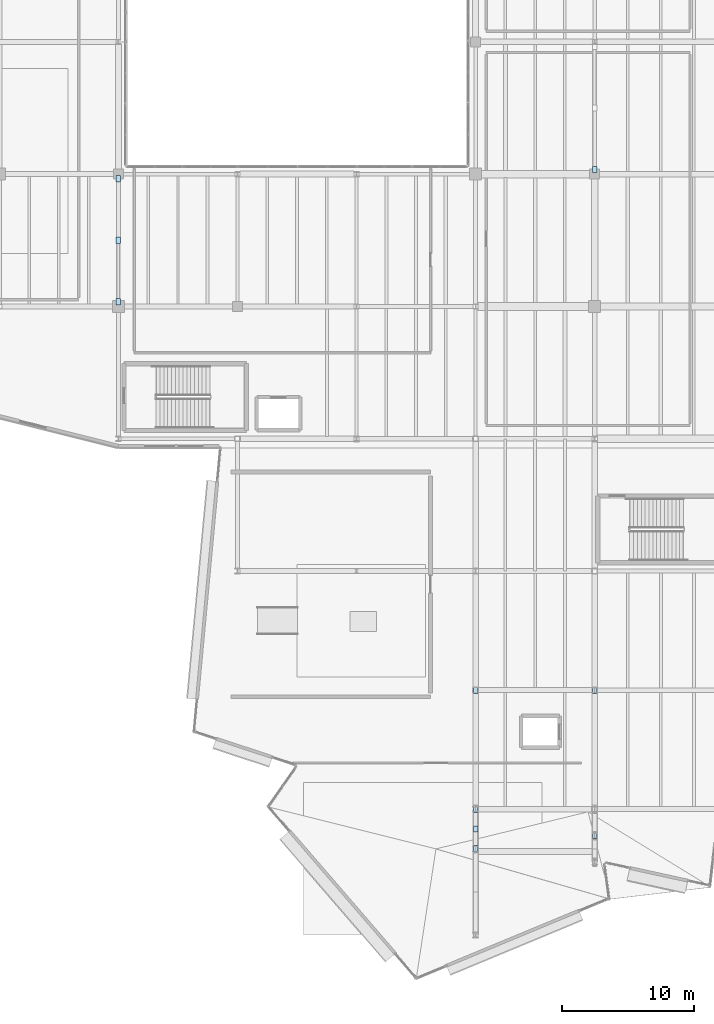
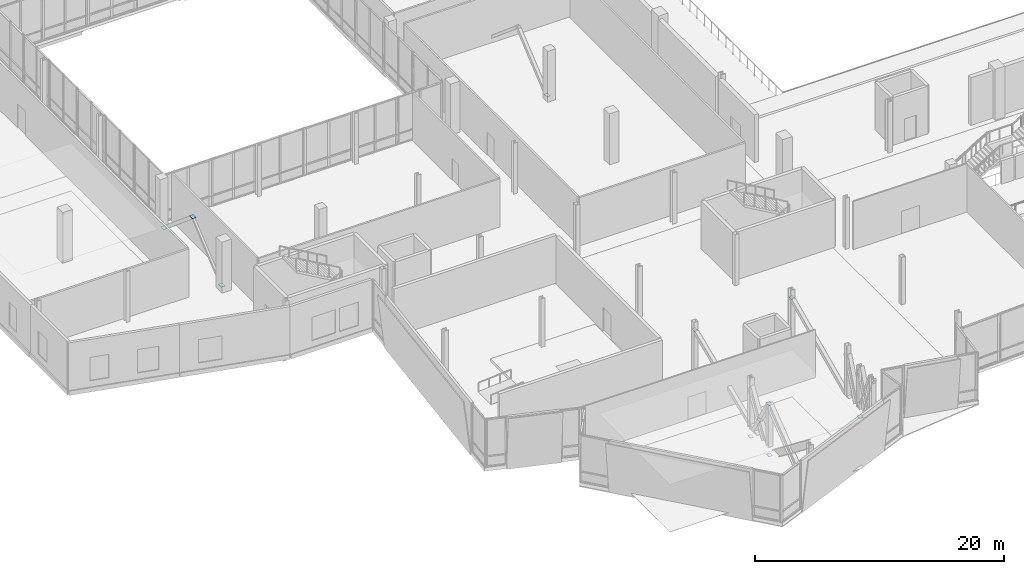
# One storey, part 51 of 73: 11 plates.
"""IFC4 building model written with IfcOpenShell, lengths in metres."""

from ifc_helpers import new_model, si_unit, direction, frame, origin, origin_2d, place, context, subcontext, project, spatial, rectangle, extrude, material, layer, layer_set, type_object, element, save


model = new_model("IFC4")

# Units and contexts
model_context = context("Model", 3, precision=1e-05, world=origin(), true_north=direction((0.0, 1.0)))
body_context = subcontext(model_context, "Body", "Model", "MODEL_VIEW")
ifc_project = project(units=[si_unit("LENGTHUNIT", "METRE"), si_unit("AREAUNIT", "SQUARE_METRE"), si_unit("VOLUMEUNIT", "CUBIC_METRE"), si_unit("PLANEANGLEUNIT", "RADIAN"), si_unit("MASSUNIT", "GRAM", prefix="KILO")], contexts=[model_context])

# Site, building, storey
site_placement = place(None, origin())
site = spatial("IfcSite", under=ifc_project, at=site_placement, CompositionType="ELEMENT")
building_placement = place(site_placement, origin())
building = spatial("IfcBuilding", under=site, at=building_placement, Name="Trimount Lyric Opera House", CompositionType="ELEMENT")
storey_placement = place(building_placement, frame((0.0, 0.0, 10.0)))
storey = spatial("IfcBuildingStorey", under=building, at=storey_placement, Name="L02", CompositionType="ELEMENT", Elevation=10.0)

# Plates
ifc_material = material(Name="Steel ASTM A572 Grade 50", Category="steel")
ifc_layer = layer(ifc_material, 0.02490234375)
ifc_layer_set = layer_set([ifc_layer], Name="KN-02")
plate_type = type_object("IfcPlateType", Name="KN-02", PredefinedType="USERDEFINED", material=ifc_layer_set)
for number, where, z_axis, x_axis, name in (
    (1, (45.0, 24.5, 1.60400390625), (0.0, 0.0, 1.0), (0.0, 1.0, 0.0), "L02 crystal truss gusset 2"),
    (2, (45.0, 35.0, 4.116455078125), (0.0, 0.0, 1.0), (0.0, -1.0, 0.0), "L02 brace CT-TIEBACK-L02-2 end gusset plate A"),
    (3, (45.0, 23.0, -0.908447265625), (0.0, 0.0, 1.0), (0.0, -1.0, 0.0), "L02 brace CT-TIEBACK-L02-2 end gusset plate B"),
    (4, (45.0, 26.0, -0.908447265625), (0.0, 0.0, 1.0), (0.0, -1.0, 0.0), "L02 brace CT-DIAG-L02-2 end gusset plate A"),
    (5, (45.0, 23.0, 4.116455078125), (0.0, 0.0, 1.0), (0.0, -1.0, 0.0), "L02 brace CT-DIAG-L02-2 end gusset plate B"),
    (6, (54.0, 35.0, 4.116455078125), (0.0, 0.0, 1.0), (0.0, -1.0, 0.0), "L02 brace CT-TIEBACK-L02-3 end gusset plate A"),
    (7, (54.0, 24.0, -0.908447265625), (0.0, 0.0, 1.0), (0.0, -1.0, 0.0), "L02 brace CT-TIEBACK-L02-3 end gusset plate B"),
    (8, (18.0, 64.35009765625, 0.137451171875), (0.0, 0.0, 1.0), (0.0, 1.0, 0.0), "L02 brace BRC-BF-1-L02-L1 end gusset plate A"),
    (9, (18.0, 69.0, 4.03759765625), (0.0, 0.0, 1.0), (0.0, 1.0, 0.0), "L02 brace BRC-BF-1-L02-L1 end gusset plate B"),
    (10, (18.0, 73.64990234375, 0.137451171875), (0.0, 0.0, 1.0), (0.0, -1.0, 0.0), "L02 brace BRC-BF-1-L02-L2 end gusset plate A"),
    (11, (54.0, 74.35009765625, 0.137451171875), (0.0, 0.0, 1.0), (0.0, 1.0, 0.0), "L02 brace BRC-BF-2-L02-L1 end gusset plate A"),
):
    element("IfcPlate", number, at=place(storey_placement, frame(where, z_axis=z_axis, x_axis=x_axis)), inside=storey, type_object=plate_type, Name=name, ObjectType="GUSSET_PLATE", PredefinedType="USERDEFINED", context=body_context, shape_type="SweptSolid", body=[
        extrude(rectangle(XDim=0.47998046875, YDim=0.340087890625, at=origin_2d()), origin(), (0.0, 0.0, 1.0), 0.02490234375),
    ])

save(model, "model.ifc")
